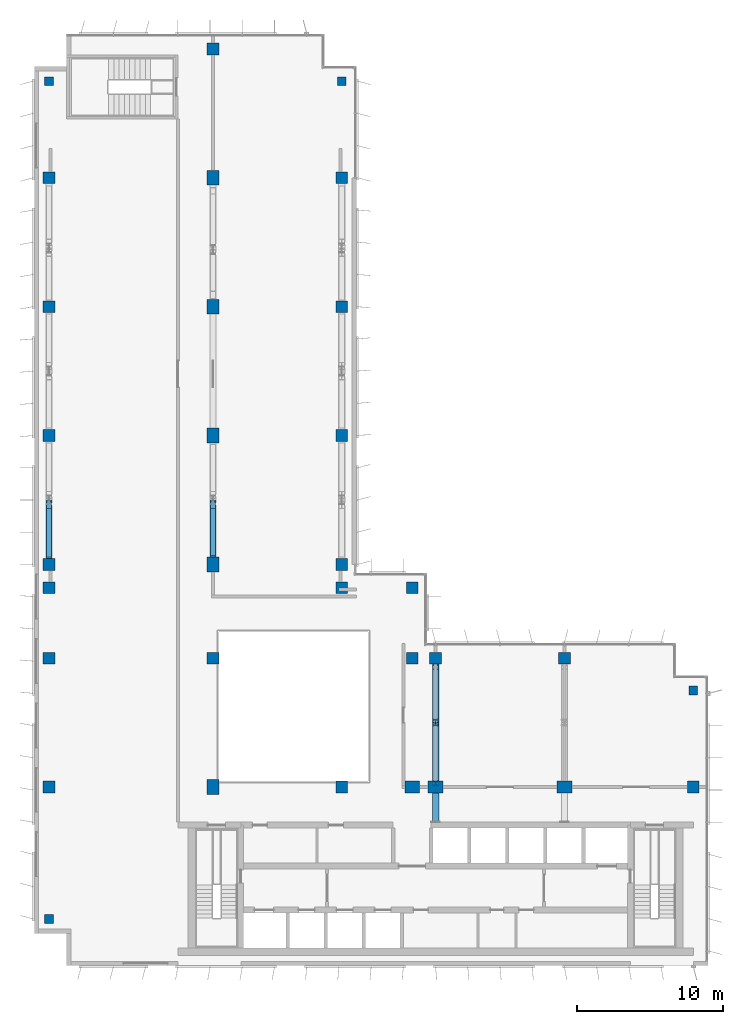
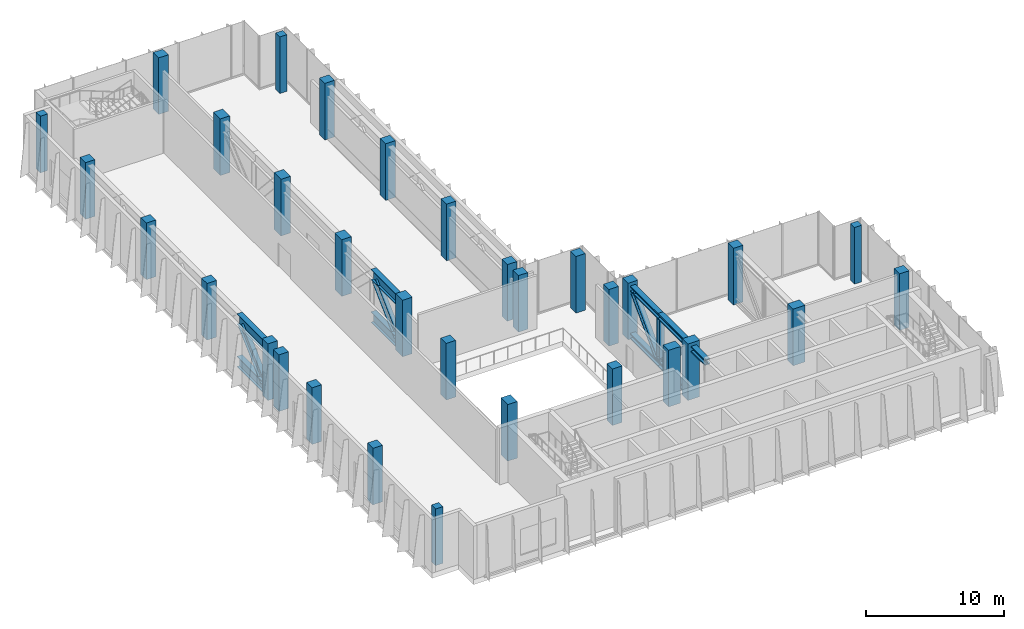
# One storey, part 1 of 13: 32 columns, 9 beams, 5 members.
"""IFC4 building model written with IfcOpenShell, lengths in metres."""

from ifc_helpers import new_model, si_unit, direction, frame, origin, origin_2d, place, context, subcontext, project, spatial, rectangle, i_section, extrude, material, material_profile, profile_set, type_object, element, save


model = new_model("IFC4")

# Units and contexts
model_context = context("Model", 3, precision=1e-05, world=origin(), true_north=direction((0.0, 1.0)))
body_context = subcontext(model_context, "Body", "Model", "MODEL_VIEW")
ifc_project = project(units=[si_unit("LENGTHUNIT", "METRE"), si_unit("AREAUNIT", "SQUARE_METRE"), si_unit("VOLUMEUNIT", "CUBIC_METRE"), si_unit("PLANEANGLEUNIT", "RADIAN"), si_unit("MASSUNIT", "GRAM", prefix="KILO")], contexts=[model_context])

# Site, building, storey
site_placement = place(None, origin())
site = spatial("IfcSite", under=ifc_project, at=site_placement, CompositionType="ELEMENT")
building_placement = place(site_placement, origin())
building = spatial("IfcBuilding", under=site, at=building_placement, Name="Kemantara Hotel Tower", CompositionType="ELEMENT")
storey_placement = place(building_placement, frame((0.0, 0.0, 256.10009765625)))
storey = spatial("IfcBuildingStorey", under=building, at=storey_placement, Name="L64", CompositionType="ELEMENT", Elevation=256.10009765625)

# Columns
ifc_material_1 = material(Name="Concrete fc 60 MPa", Category="concrete")
ifc_material_profile_1 = material_profile(ifc_material_1, rectangle(XDim=1.0, YDim=0.800048828125, at=origin_2d()), Name="RC 1000X800")
ifc_profile_set_1 = profile_set([ifc_material_profile_1], Name="Concrete fc 60 MPa")
column_type_1 = type_object("IfcColumnType", Name="RC COLUMN 1000X800 FC60", PredefinedType="COLUMN", material=ifc_profile_set_1)
for number, where, z_axis, x_axis, name in (
    (1, (12.199951171875, 12.199951171875, 0.0), (0.0, 0.0, 1.0), (0.0, 1.0, 0.0), "COLUMN 2A/BA L64"),
    (2, (12.199951171875, 27.39990234375, 0.0), (0.0, 0.0, 1.0), (0.0, 1.0, 0.0), "COLUMN 2A/D L64"),
    (3, (12.199951171875, 36.199951171875, 0.0), (0.0, 0.0, 1.0), (0.0, 1.0, 0.0), "COLUMN 2A/E L64"),
    (4, (12.199951171875, 45.0, 0.0), (0.0, 0.0, 1.0), (0.0, 1.0, 0.0), "COLUMN 2A/F L64"),
    (5, (12.199951171875, 53.800048828125, 0.0), (0.0, 0.0, 1.0), (0.0, 1.0, 0.0), "COLUMN 2A/G L64"),
    (6, (25.800048828125, 12.199951171875, 0.0), (0.0, 0.0, 1.0), (1.0, 0.0, 0.0), "COLUMN 3A/BA L64"),
    (7, (27.39990234375, 12.199951171875, 0.0), (0.0, 0.0, 1.0), (1.0, 0.0, 0.0), "COLUMN 4/BA L64"),
    (8, (36.199951171875, 12.199951171875, 0.0), (0.0, 0.0, 1.0), (1.0, 0.0, 0.0), "COLUMN 5/BA L64"),
):
    element("IfcColumn", number, at=place(storey_placement, frame(where, z_axis=z_axis, x_axis=x_axis)), inside=storey, type_object=column_type_1, Name=name, PredefinedType="COLUMN", context=body_context, shape_type="SweptSolid", body=[
        extrude(rectangle(XDim=1.0, YDim=0.800048828125, at=origin_2d()), origin(), (0.0, 0.0, 1.0), 5.0),
    ])
ifc_material_profile_2 = material_profile(ifc_material_1, rectangle(XDim=0.60009765625, YDim=0.60009765625, at=origin_2d()), Name="RC 600X600")
ifc_profile_set_2 = profile_set([ifc_material_profile_2], Name="Concrete fc 60 MPa")
column_type_2 = type_object("IfcColumnType", Name="RC COLUMN 600X600 FC60", PredefinedType="COLUMN", material=ifc_profile_set_2)
for number, where, z_axis, x_axis, name in (
    (9, (1.0, 3.199951171875, 0.0), (0.0, 0.0, 1.0), (1.0, 0.0, 0.0), "COLUMN notch corner L64"),
    (10, (1.0, 60.39990234375, 0.0), (0.0, 0.0, 1.0), (1.0, 0.0, 0.0), "COLUMN notch corner L64"),
    (11, (21.0, 60.39990234375, 0.0), (0.0, 0.0, 1.0), (1.0, 0.0, 0.0), "COLUMN notch corner L64"),
    (12, (45.0, 18.800048828125, 0.0), (0.0, 0.0, 1.0), (1.0, 0.0, 0.0), "COLUMN notch corner L64"),
):
    element("IfcColumn", number, at=place(storey_placement, frame(where, z_axis=z_axis, x_axis=x_axis)), inside=storey, type_object=column_type_2, Name=name, PredefinedType="COLUMN", context=body_context, shape_type="SweptSolid", body=[
        extrude(rectangle(XDim=0.60009765625, YDim=0.60009765625, at=origin_2d()), origin(), (0.0, 0.0, 1.0), 5.0),
    ])
ifc_material_profile_3 = material_profile(ifc_material_1, rectangle(XDim=0.800048828125, YDim=0.800048828125, at=origin_2d()), Name="RC 800X800")
ifc_profile_set_3 = profile_set([ifc_material_profile_3], Name="Concrete fc 60 MPa")
column_type_3 = type_object("IfcColumnType", Name="RC COLUMN 800X800 FC60", PredefinedType="COLUMN", material=ifc_profile_set_3)
for number, where, z_axis, x_axis, name in (
    (13, (1.0, 12.199951171875, 0.0), (0.0, 0.0, 1.0), (1.0, 0.0, 0.0), "COLUMN 1/BA L64"),
    (14, (1.0, 21.0, 0.0), (0.0, 0.0, 1.0), (1.0, 0.0, 0.0), "COLUMN 1/C L64"),
    (15, (1.0, 25.800048828125, 0.0), (0.0, 0.0, 1.0), (1.0, 0.0, 0.0), "COLUMN 1/CA L64"),
    (16, (1.0, 27.39990234375, 0.0), (0.0, 0.0, 1.0), (1.0, 0.0, 0.0), "COLUMN 1/D L64"),
    (17, (1.0, 36.199951171875, 0.0), (0.0, 0.0, 1.0), (1.0, 0.0, 0.0), "COLUMN 1/E L64"),
    (18, (1.0, 45.0, 0.0), (0.0, 0.0, 1.0), (1.0, 0.0, 0.0), "COLUMN 1/F L64"),
    (19, (1.0, 53.800048828125, 0.0), (0.0, 0.0, 1.0), (1.0, 0.0, 0.0), "COLUMN 1/G L64"),
    (20, (12.199951171875, 21.0, 0.0), (0.0, 0.0, 1.0), (1.0, 0.0, 0.0), "COLUMN 2A/C L64"),
    (21, (12.199951171875, 62.60009765625, 0.0), (0.0, 0.0, 1.0), (1.0, 0.0, 0.0), "COLUMN 2A/H L64"),
    (22, (21.0, 12.199951171875, 0.0), (0.0, 0.0, 1.0), (1.0, 0.0, 0.0), "COLUMN 3/BA L64"),
    (23, (21.0, 25.800048828125, 0.0), (0.0, 0.0, 1.0), (1.0, 0.0, 0.0), "COLUMN 3/CA L64"),
    (24, (21.0, 27.39990234375, 0.0), (0.0, 0.0, 1.0), (1.0, 0.0, 0.0), "COLUMN 3/D L64"),
    (25, (21.0, 36.199951171875, 0.0), (0.0, 0.0, 1.0), (1.0, 0.0, 0.0), "COLUMN 3/E L64"),
    (26, (21.0, 45.0, 0.0), (0.0, 0.0, 1.0), (1.0, 0.0, 0.0), "COLUMN 3/F L64"),
    (27, (21.0, 53.800048828125, 0.0), (0.0, 0.0, 1.0), (1.0, 0.0, 0.0), "COLUMN 3/G L64"),
    (28, (25.800048828125, 21.0, 0.0), (0.0, 0.0, 1.0), (1.0, 0.0, 0.0), "COLUMN 3A/C L64"),
    (29, (25.800048828125, 25.800048828125, 0.0), (0.0, 0.0, 1.0), (1.0, 0.0, 0.0), "COLUMN 3A/CA L64"),
    (30, (27.39990234375, 21.0, 0.0), (0.0, 0.0, 1.0), (1.0, 0.0, 0.0), "COLUMN 4/C L64"),
    (31, (36.199951171875, 21.0, 0.0), (0.0, 0.0, 1.0), (1.0, 0.0, 0.0), "COLUMN 5/C L64"),
    (32, (45.0, 12.199951171875, 0.0), (0.0, 0.0, 1.0), (1.0, 0.0, 0.0), "COLUMN 6/BA L64"),
):
    element("IfcColumn", number, at=place(storey_placement, frame(where, z_axis=z_axis, x_axis=x_axis)), inside=storey, type_object=column_type_3, Name=name, PredefinedType="COLUMN", context=body_context, shape_type="SweptSolid", body=[
        extrude(rectangle(XDim=0.800048828125, YDim=0.800048828125, at=origin_2d()), origin(), (0.0, 0.0, 1.0), 5.0),
    ])

# Beams
ifc_material_2 = material(Name="Steel ASTM A992 Grade 50", Category="steel")
ifc_material_profile_4 = material_profile(ifc_material_2, i_section(OverallWidth=0.43701171875, OverallDepth=0.512939453125, WebThickness=0.060546875, FlangeThickness=0.096923828125, at=origin_2d()), Name="W360X818")
ifc_profile_set_4 = profile_set([ifc_material_profile_4], Name="Steel ASTM A992 Grade 50")
beam_type_1 = type_object("IfcBeamType", Name="OUTRIGGER TRUSS L64 CHORD W360X818", PredefinedType="BEAM", material=ifc_profile_set_4)
for number, where, z_axis, x_axis, name in (
    (33, (27.39990234375, 12.60009765625, 0.25634765625), (0.0, 1.0, 0.0), (-1.0, 0.0, 0.0), "OUTRIGGER L64 T1 bottom chord 2"),
    (34, (27.39990234375, 16.60009765625, 0.25634765625), (0.0, 1.0, 0.0), (-1.0, 0.0, 0.0), "OUTRIGGER L64 T1 bottom chord 3"),
):
    element("IfcBeam", number, at=place(storey_placement, frame(where, z_axis=z_axis, x_axis=x_axis)), inside=storey, type_object=beam_type_1, Name=name, PredefinedType="BEAM", context=body_context, shape_type="SweptSolid", body=[
        extrude(i_section(OverallWidth=0.43701171875, OverallDepth=0.512939453125, WebThickness=0.060546875, FlangeThickness=0.096923828125, at=origin_2d()), origin(), (0.0, 0.0, 1.0), 4.0),
    ])
beam_placement = place(storey_placement, frame((27.39990234375, 9.840087890625, 4.443359375), z_axis=(0.0, 1.0, 0.0), x_axis=(-1.0, 0.0, 0.0)))
element("IfcBeam", 35, at=beam_placement, inside=storey, type_object=beam_type_1, Name="OUTRIGGER L64 T1 top chord 1", PredefinedType="BEAM", context=body_context, shape_type="SweptSolid", body=[
    extrude(i_section(OverallWidth=0.43701171875, OverallDepth=0.512939453125, WebThickness=0.060546875, FlangeThickness=0.096923828125, at=origin_2d()), origin(), (0.0, 0.0, 1.0), 1.9599609375),
])
for number, where, z_axis, x_axis, name in (
    (36, (27.39990234375, 12.60009765625, 4.443359375), (0.0, 1.0, 0.0), (-1.0, 0.0, 0.0), "OUTRIGGER L64 T1 top chord 2"),
    (37, (27.39990234375, 16.60009765625, 4.443359375), (0.0, 1.0, 0.0), (-1.0, 0.0, 0.0), "OUTRIGGER L64 T1 top chord 3"),
):
    element("IfcBeam", number, at=place(storey_placement, frame(where, z_axis=z_axis, x_axis=x_axis)), inside=storey, type_object=beam_type_1, Name=name, PredefinedType="BEAM", context=body_context, shape_type="SweptSolid", body=[
        extrude(i_section(OverallWidth=0.43701171875, OverallDepth=0.512939453125, WebThickness=0.060546875, FlangeThickness=0.096923828125, at=origin_2d()), origin(), (0.0, 0.0, 1.0), 4.0),
    ])

# Members
ifc_material_profile_5 = material_profile(ifc_material_2, i_section(OverallWidth=0.424072265625, OverallDepth=0.47509765625, WebThickness=0.0478515625, FlangeThickness=0.0771484375, at=origin_2d()), Name="W360X634")
ifc_profile_set_5 = profile_set([ifc_material_profile_5], Name="Steel ASTM A992 Grade 50")
member_type_1 = type_object("IfcMemberType", Name="OUTRIGGER TRUSS L64 DIAGONAL W360X634", PredefinedType="BRACE", material=ifc_profile_set_5)
member_1_placement = place(storey_placement, frame((27.39990234375, 16.36083984375, 0.48388671875), z_axis=(0.0, -0.72443171708, 0.689346565443), x_axis=(1.0, 0.0, 0.0)))
element("IfcMember", 38, at=member_1_placement, inside=storey, type_object=member_type_1, Name="OUTRIGGER L64 T1 diagonal 2", PredefinedType="BRACE", context=body_context, shape_type="SweptSolid", body=[
    extrude(i_section(OverallWidth=0.424072265625, OverallDepth=0.47509765625, WebThickness=0.0478515625, FlangeThickness=0.0771484375, at=origin_2d()), origin(), (0.0, 0.0, 1.0), 5.413818359375),
])
member_2_placement = place(storey_placement, frame((27.39990234375, 16.8173828125, 0.48388671875), z_axis=(0.0, 0.690768202808, 0.723076268446), x_axis=(-1.0, 0.0, 0.0)))
element("IfcMember", 39, at=member_2_placement, inside=storey, type_object=member_type_1, Name="OUTRIGGER L64 T1 diagonal 3", PredefinedType="BRACE", context=body_context, shape_type="SweptSolid", body=[
    extrude(i_section(OverallWidth=0.424072265625, OverallDepth=0.47509765625, WebThickness=0.0478515625, FlangeThickness=0.0771484375, at=origin_2d()), origin(), (0.0, 0.0, 1.0), 5.1611328125),
])
ifc_material_profile_6 = material_profile(ifc_material_2, i_section(OverallWidth=0.410888671875, OverallDepth=0.43408203125, WebThickness=0.035888671875, FlangeThickness=0.057373046875, at=origin_2d()), Name="W360X463")
ifc_profile_set_6 = profile_set([ifc_material_profile_6], Name="Steel ASTM A992 Grade 50")
member_type_2 = type_object("IfcMemberType", Name="OUTRIGGER TRUSS L64 POST W360X463", PredefinedType="POST", material=ifc_profile_set_6)
member_3_placement = place(storey_placement, frame((27.39990234375, 16.60009765625, 0.512939453125), z_axis=(0.0, 0.0, 1.0), x_axis=(1.0, 0.0, 0.0)))
element("IfcMember", 40, at=member_3_placement, inside=storey, type_object=member_type_2, Name="OUTRIGGER L64 T1 post 3", PredefinedType="POST", context=body_context, shape_type="SweptSolid", body=[
    extrude(i_section(OverallWidth=0.410888671875, OverallDepth=0.43408203125, WebThickness=0.035888671875, FlangeThickness=0.057373046875, at=origin_2d()), origin(), (0.0, 0.0, 1.0), 3.674072265625),
])

# Beams
ifc_material_profile_7 = material_profile(ifc_material_2, i_section(OverallWidth=0.424072265625, OverallDepth=0.947021484375, WebThickness=0.02392578125, FlangeThickness=0.042724609375, at=origin_2d()), Name="W920X449")
ifc_profile_set_7 = profile_set([ifc_material_profile_7], Name="Steel ASTM A992 Grade 50")
beam_type_2 = type_object("IfcBeamType", Name="PORTAL LINTEL TRUSS CHORD W920X449", PredefinedType="BEAM", material=ifc_profile_set_7)
for number, where, z_axis, x_axis, name in (
    (41, (1.0, 27.800048828125, 0.473388671875), (0.0, 1.0, 0.0), (-1.0, 0.0, 0.0), "PORTAL LINTEL T1 bottom chord 1"),
    (42, (1.0, 27.800048828125, 4.226318359375), (0.0, 1.0, 0.0), (-1.0, 0.0, 0.0), "PORTAL LINTEL T1 top chord 1"),
):
    element("IfcBeam", number, at=place(storey_placement, frame(where, z_axis=z_axis, x_axis=x_axis)), inside=storey, type_object=beam_type_2, Name=name, PredefinedType="BEAM", context=body_context, shape_type="SweptSolid", body=[
        extrude(i_section(OverallWidth=0.424072265625, OverallDepth=0.947021484375, WebThickness=0.02392578125, FlangeThickness=0.042724609375, at=origin_2d()), origin(), (0.0, 0.0, 1.0), 4.0),
    ])
for number, where, z_axis, x_axis, name in (
    (43, (12.199951171875, 27.89990234375, 0.473388671875), (0.0, 1.0, 0.0), (-1.0, 0.0, 0.0), "PORTAL LINTEL T3 bottom chord 1"),
    (44, (12.199951171875, 27.89990234375, 4.226318359375), (0.0, 1.0, 0.0), (-1.0, 0.0, 0.0), "PORTAL LINTEL T3 top chord 1"),
):
    element("IfcBeam", number, at=place(storey_placement, frame(where, z_axis=z_axis, x_axis=x_axis)), inside=storey, type_object=beam_type_2, Name=name, PredefinedType="BEAM", context=body_context, shape_type="SweptSolid", body=[
        extrude(i_section(OverallWidth=0.424072265625, OverallDepth=0.947021484375, WebThickness=0.02392578125, FlangeThickness=0.042724609375, at=origin_2d()), origin(), (0.0, 0.0, 1.0), 3.900146484375),
    ])

# Members
ifc_material_profile_8 = material_profile(ifc_material_2, i_section(OverallWidth=0.35791015625, OverallDepth=0.7060546875, WebThickness=0.018310546875, FlangeThickness=0.0302734375, at=origin_2d()), Name="W690X265")
ifc_profile_set_8 = profile_set([ifc_material_profile_8], Name="Steel ASTM A992 Grade 50")
member_type_3 = type_object("IfcMemberType", Name="PORTAL LINTEL TRUSS DIAGONAL W690X265", PredefinedType="BRACE", material=ifc_profile_set_8)
member_4_placement = place(storey_placement, frame((1.0, 28.154541015625, 0.80615234375), z_axis=(0.0, 0.729282375962, 0.684212844159), x_axis=(-1.0, 0.0, 0.0)))
element("IfcMember", 45, at=member_4_placement, inside=storey, type_object=member_type_3, Name="PORTAL LINTEL T1 diagonal 1", PredefinedType="BRACE", context=body_context, shape_type="SweptSolid", body=[
    extrude(i_section(OverallWidth=0.35791015625, OverallDepth=0.7060546875, WebThickness=0.018310546875, FlangeThickness=0.0302734375, at=origin_2d()), origin(), (0.0, 0.0, 1.0), 4.512451171875),
])
member_5_placement = place(storey_placement, frame((12.199951171875, 28.245849609375, 0.80615234375), z_axis=(0.0, 0.720547464241, 0.693405618506), x_axis=(-1.0, 0.0, 0.0)))
element("IfcMember", 46, at=member_5_placement, inside=storey, type_object=member_type_3, Name="PORTAL LINTEL T3 diagonal 1", PredefinedType="BRACE", context=body_context, shape_type="SweptSolid", body=[
    extrude(i_section(OverallWidth=0.35791015625, OverallDepth=0.7060546875, WebThickness=0.018310546875, FlangeThickness=0.0302734375, at=origin_2d()), origin(), (0.0, 0.0, 1.0), 4.45263671875),
])

save(model, "model.ifc")
